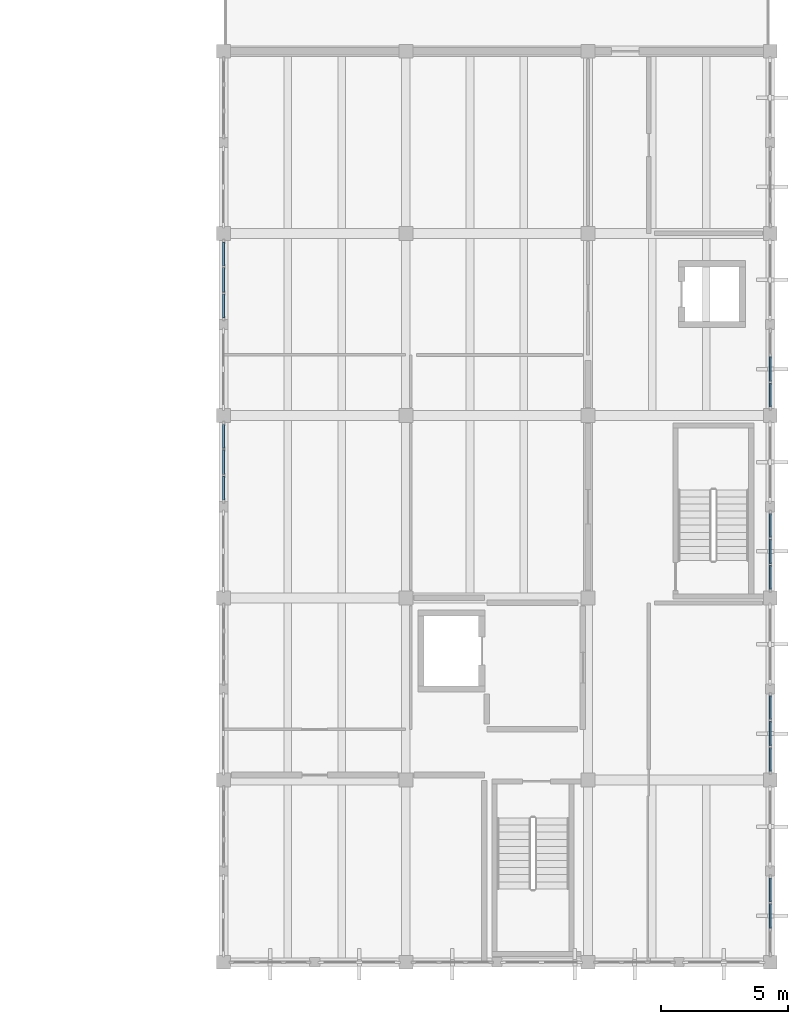
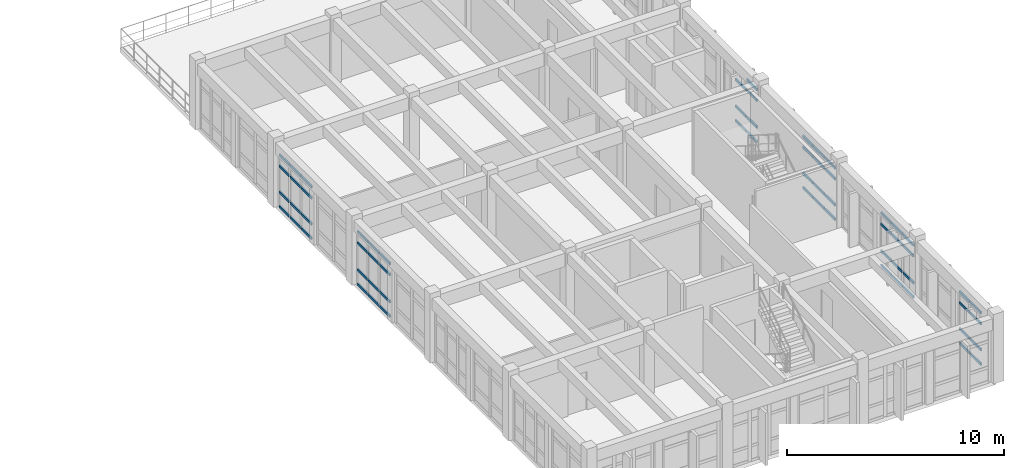
# One storey, part 10 of 22: 63 members, 6 elements without a shape of their own.
"""IFC4 building model written with IfcOpenShell, lengths in metres."""

from ifc_helpers import new_model, si_unit, direction, frame, origin, origin_2d, place, context, subcontext, project, spatial, rectangle, extrude, material, layer, layer_set, material_profile, profile_set, type_object, element, aggregate, save


model = new_model("IFC4")

# Units and contexts
model_context = context("Model", 3, precision=1e-05, world=origin(), true_north=direction((0.0, 1.0)))
body_context = subcontext(model_context, "Body", "Model", "MODEL_VIEW")
ifc_project = project(units=[si_unit("LENGTHUNIT", "METRE"), si_unit("AREAUNIT", "SQUARE_METRE"), si_unit("VOLUMEUNIT", "CUBIC_METRE"), si_unit("PLANEANGLEUNIT", "RADIAN"), si_unit("MASSUNIT", "GRAM", prefix="KILO")], contexts=[model_context])

# Site, building, storey
site_placement = place(None, origin())
site = spatial("IfcSite", under=ifc_project, at=site_placement, CompositionType="ELEMENT")
building_placement = place(site_placement, origin())
building = spatial("IfcBuilding", under=site, at=building_placement, Name="Koriwan Promenade Central Fire Station", CompositionType="ELEMENT")
storey_placement = place(building_placement, frame((0.0, 0.0, 17.39990234375)))
storey = spatial("IfcBuildingStorey", under=building, at=storey_placement, Name="L04", CompositionType="ELEMENT", Elevation=17.39990234375)

# Curtain wall, members
ifc_material_1 = material(Name="Aluminium EN AW-6063-T6 and low-E glazing", Category="aluminium")
ifc_layer_1 = layer(ifc_material_1, 0.159912109375, Name="Aluminium EN AW-6063-T6 and low-E glazing")
ifc_layer_set_1 = layer_set([ifc_layer_1], Name="Aluminium EN AW-6063-T6 and low-E glazing")
curtain_wall_type_1 = type_object("IfcCurtainWallType", Name="CurtainWall_82_312x296", PredefinedType="USERDEFINED", material=ifc_layer_set_1)
curtain_wall_1_placement = place(storey_placement, origin())
curtain_wall_1 = element("IfcCurtainWall", 1, at=curtain_wall_1_placement, inside=storey, type_object=curtain_wall_type_1, Name="V5 L04 unitised curtain wall 251", ObjectType="UNITISED CURTAIN WALL", PredefinedType="USERDEFINED")
ifc_material_2 = material(Name="Aluminium EN AW-6063-T6", Category="aluminium")
ifc_material_profile = material_profile(ifc_material_2, rectangle(XDim=0.074951171875, YDim=0.139892578125, at=origin_2d()), Name="ALU-TRN-75x140")
ifc_profile_set = profile_set([ifc_material_profile], Name="Aluminium EN AW-6063-T6")
member_type = type_object("IfcMemberType", Name="CWTransom_ALU-TRN-75x140", PredefinedType="USERDEFINED", material=ifc_profile_set)
member_1_placement = place(storey_placement, frame((172.800048828125, 1.354248046875, 0.03759765625), z_axis=(0.0, 1.0, 0.0), x_axis=(-1.0, 0.0, 0.0)))
member_1 = element("IfcMember", 2, at=member_1_placement, type_object=member_type, Name="CW-82 transom 2.1", ObjectType="TRANSOM", PredefinedType="USERDEFINED", context=body_context, shape_type="SweptSolid", body=[
    extrude(rectangle(XDim=0.074951171875, YDim=0.139892578125, at=origin_2d()), origin(), (0.0, 0.0, 1.0), 0.966552734375),
])
member_2_placement = place(storey_placement, frame((172.800048828125, 1.354248046875, 0.85009765625), z_axis=(0.0, 1.0, 0.0), x_axis=(-1.0, 0.0, 0.0)))
member_2 = element("IfcMember", 3, at=member_2_placement, type_object=member_type, Name="CW-82 transom 2.2", ObjectType="TRANSOM", PredefinedType="USERDEFINED", context=body_context, shape_type="SweptSolid", body=[
    extrude(rectangle(XDim=0.074951171875, YDim=0.139892578125, at=origin_2d()), origin(), (0.0, 0.0, 1.0), 0.966552734375),
])
member_3_placement = place(storey_placement, frame((172.800048828125, 1.354248046875, 2.31005859375), z_axis=(0.0, 1.0, 0.0), x_axis=(-1.0, 0.0, 0.0)))
member_3 = element("IfcMember", 4, at=member_3_placement, type_object=member_type, Name="CW-82 transom 2.3", ObjectType="TRANSOM", PredefinedType="USERDEFINED", context=body_context, shape_type="SweptSolid", body=[
    extrude(rectangle(XDim=0.074951171875, YDim=0.139892578125, at=origin_2d()), origin(), (0.0, 0.0, 1.0), 0.966552734375),
])
member_4_placement = place(storey_placement, frame((172.800048828125, 1.354248046875, 2.922607421875), z_axis=(0.0, 1.0, 0.0), x_axis=(-1.0, 0.0, 0.0)))
member_4 = element("IfcMember", 5, at=member_4_placement, type_object=member_type, Name="CW-82 transom 2.4", ObjectType="TRANSOM", PredefinedType="USERDEFINED", context=body_context, shape_type="SweptSolid", body=[
    extrude(rectangle(XDim=0.074951171875, YDim=0.139892578125, at=origin_2d()), origin(), (0.0, 0.0, 1.0), 0.966552734375),
])
member_5_placement = place(storey_placement, frame((172.800048828125, 2.395751953125, 0.03759765625), z_axis=(0.0, 1.0, 0.0), x_axis=(-1.0, 0.0, 0.0)))
member_5 = element("IfcMember", 6, at=member_5_placement, type_object=member_type, Name="CW-82 transom 3.1", ObjectType="TRANSOM", PredefinedType="USERDEFINED", context=body_context, shape_type="SweptSolid", body=[
    extrude(rectangle(XDim=0.074951171875, YDim=0.139892578125, at=origin_2d()), origin(), (0.0, 0.0, 1.0), 0.92919921875),
])
member_6_placement = place(storey_placement, frame((172.800048828125, 2.395751953125, 0.85009765625), z_axis=(0.0, 1.0, 0.0), x_axis=(-1.0, 0.0, 0.0)))
member_6 = element("IfcMember", 7, at=member_6_placement, type_object=member_type, Name="CW-82 transom 3.2", ObjectType="TRANSOM", PredefinedType="USERDEFINED", context=body_context, shape_type="SweptSolid", body=[
    extrude(rectangle(XDim=0.074951171875, YDim=0.139892578125, at=origin_2d()), origin(), (0.0, 0.0, 1.0), 0.92919921875),
])
member_7_placement = place(storey_placement, frame((172.800048828125, 2.395751953125, 2.31005859375), z_axis=(0.0, 1.0, 0.0), x_axis=(-1.0, 0.0, 0.0)))
member_7 = element("IfcMember", 8, at=member_7_placement, type_object=member_type, Name="CW-82 transom 3.3", ObjectType="TRANSOM", PredefinedType="USERDEFINED", context=body_context, shape_type="SweptSolid", body=[
    extrude(rectangle(XDim=0.074951171875, YDim=0.139892578125, at=origin_2d()), origin(), (0.0, 0.0, 1.0), 0.92919921875),
])
member_8_placement = place(storey_placement, frame((172.800048828125, 2.395751953125, 2.922607421875), z_axis=(0.0, 1.0, 0.0), x_axis=(-1.0, 0.0, 0.0)))
member_8 = element("IfcMember", 9, at=member_8_placement, type_object=member_type, Name="CW-82 transom 3.4", ObjectType="TRANSOM", PredefinedType="USERDEFINED", context=body_context, shape_type="SweptSolid", body=[
    extrude(rectangle(XDim=0.074951171875, YDim=0.139892578125, at=origin_2d()), origin(), (0.0, 0.0, 1.0), 0.92919921875),
])
aggregate(curtain_wall_1, [member_1, member_2, member_3, member_4, member_5, member_6, member_7, member_8])

ifc_layer_2 = layer(ifc_material_1, 0.159912109375, Name="Aluminium EN AW-6063-T6 and low-E glazing")
ifc_layer_set_2 = layer_set([ifc_layer_2], Name="Aluminium EN AW-6063-T6 and low-E glazing")
curtain_wall_type_2 = type_object("IfcCurtainWallType", Name="CurtainWall_84_312x301", PredefinedType="USERDEFINED", material=ifc_layer_set_2)
curtain_wall_2_placement = place(storey_placement, origin())
curtain_wall_2 = element("IfcCurtainWall", 10, at=curtain_wall_2_placement, inside=storey, type_object=curtain_wall_type_2, Name="V5 L04 unitised curtain wall 253", ObjectType="UNITISED CURTAIN WALL", PredefinedType="USERDEFINED")
member_9_placement = place(storey_placement, frame((172.800048828125, 7.550048828125, 0.03759765625), z_axis=(0.0, 1.0, 0.0), x_axis=(-1.0, 0.0, 0.0)))
member_9 = element("IfcMember", 11, at=member_9_placement, type_object=member_type, Name="CW-84 transom 1.1", ObjectType="TRANSOM", PredefinedType="USERDEFINED", context=body_context, shape_type="SweptSolid", body=[
    extrude(rectangle(XDim=0.074951171875, YDim=0.139892578125, at=origin_2d()), origin(), (0.0, 0.0, 1.0), 0.92919921875),
])
member_10_placement = place(storey_placement, frame((172.800048828125, 7.550048828125, 0.85009765625), z_axis=(0.0, 1.0, 0.0), x_axis=(-1.0, 0.0, 0.0)))
member_10 = element("IfcMember", 12, at=member_10_placement, type_object=member_type, Name="CW-84 transom 1.2", ObjectType="TRANSOM", PredefinedType="USERDEFINED", context=body_context, shape_type="SweptSolid", body=[
    extrude(rectangle(XDim=0.074951171875, YDim=0.139892578125, at=origin_2d()), origin(), (0.0, 0.0, 1.0), 0.92919921875),
])
member_11_placement = place(storey_placement, frame((172.800048828125, 7.550048828125, 2.360107421875), z_axis=(0.0, 1.0, 0.0), x_axis=(-1.0, 0.0, 0.0)))
member_11 = element("IfcMember", 13, at=member_11_placement, type_object=member_type, Name="CW-84 transom 1.3", ObjectType="TRANSOM", PredefinedType="USERDEFINED", context=body_context, shape_type="SweptSolid", body=[
    extrude(rectangle(XDim=0.074951171875, YDim=0.139892578125, at=origin_2d()), origin(), (0.0, 0.0, 1.0), 0.92919921875),
])
member_12_placement = place(storey_placement, frame((172.800048828125, 7.550048828125, 2.97265625), z_axis=(0.0, 1.0, 0.0), x_axis=(-1.0, 0.0, 0.0)))
member_12 = element("IfcMember", 14, at=member_12_placement, type_object=member_type, Name="CW-84 transom 1.4", ObjectType="TRANSOM", PredefinedType="USERDEFINED", context=body_context, shape_type="SweptSolid", body=[
    extrude(rectangle(XDim=0.074951171875, YDim=0.139892578125, at=origin_2d()), origin(), (0.0, 0.0, 1.0), 0.92919921875),
])
member_13_placement = place(storey_placement, frame((172.800048828125, 8.55419921875, 0.03759765625), z_axis=(0.0, 1.0, 0.0), x_axis=(-1.0, 0.0, 0.0)))
member_13 = element("IfcMember", 15, at=member_13_placement, type_object=member_type, Name="CW-84 transom 2.1", ObjectType="TRANSOM", PredefinedType="USERDEFINED", context=body_context, shape_type="SweptSolid", body=[
    extrude(rectangle(XDim=0.074951171875, YDim=0.139892578125, at=origin_2d()), origin(), (0.0, 0.0, 1.0), 0.966552734375),
])
member_14_placement = place(storey_placement, frame((172.800048828125, 8.55419921875, 0.85009765625), z_axis=(0.0, 1.0, 0.0), x_axis=(-1.0, 0.0, 0.0)))
member_14 = element("IfcMember", 16, at=member_14_placement, type_object=member_type, Name="CW-84 transom 2.2", ObjectType="TRANSOM", PredefinedType="USERDEFINED", context=body_context, shape_type="SweptSolid", body=[
    extrude(rectangle(XDim=0.074951171875, YDim=0.139892578125, at=origin_2d()), origin(), (0.0, 0.0, 1.0), 0.966552734375),
])
member_15_placement = place(storey_placement, frame((172.800048828125, 8.55419921875, 2.360107421875), z_axis=(0.0, 1.0, 0.0), x_axis=(-1.0, 0.0, 0.0)))
member_15 = element("IfcMember", 17, at=member_15_placement, type_object=member_type, Name="CW-84 transom 2.3", ObjectType="TRANSOM", PredefinedType="USERDEFINED", context=body_context, shape_type="SweptSolid", body=[
    extrude(rectangle(XDim=0.074951171875, YDim=0.139892578125, at=origin_2d()), origin(), (0.0, 0.0, 1.0), 0.966552734375),
])
member_16_placement = place(storey_placement, frame((172.800048828125, 8.55419921875, 2.97265625), z_axis=(0.0, 1.0, 0.0), x_axis=(-1.0, 0.0, 0.0)))
member_16 = element("IfcMember", 18, at=member_16_placement, type_object=member_type, Name="CW-84 transom 2.4", ObjectType="TRANSOM", PredefinedType="USERDEFINED", context=body_context, shape_type="SweptSolid", body=[
    extrude(rectangle(XDim=0.074951171875, YDim=0.139892578125, at=origin_2d()), origin(), (0.0, 0.0, 1.0), 0.966552734375),
])
member_17_placement = place(storey_placement, frame((172.800048828125, 9.595947265625, 0.03759765625), z_axis=(0.0, 1.0, 0.0), x_axis=(-1.0, 0.0, 0.0)))
member_17 = element("IfcMember", 19, at=member_17_placement, type_object=member_type, Name="CW-84 transom 3.1", ObjectType="TRANSOM", PredefinedType="USERDEFINED", context=body_context, shape_type="SweptSolid", body=[
    extrude(rectangle(XDim=0.074951171875, YDim=0.139892578125, at=origin_2d()), origin(), (0.0, 0.0, 1.0), 0.928955078125),
])
member_18_placement = place(storey_placement, frame((172.800048828125, 9.595947265625, 0.85009765625), z_axis=(0.0, 1.0, 0.0), x_axis=(-1.0, 0.0, 0.0)))
member_18 = element("IfcMember", 20, at=member_18_placement, type_object=member_type, Name="CW-84 transom 3.2", ObjectType="TRANSOM", PredefinedType="USERDEFINED", context=body_context, shape_type="SweptSolid", body=[
    extrude(rectangle(XDim=0.074951171875, YDim=0.139892578125, at=origin_2d()), origin(), (0.0, 0.0, 1.0), 0.928955078125),
])
member_19_placement = place(storey_placement, frame((172.800048828125, 9.595947265625, 2.360107421875), z_axis=(0.0, 1.0, 0.0), x_axis=(-1.0, 0.0, 0.0)))
member_19 = element("IfcMember", 21, at=member_19_placement, type_object=member_type, Name="CW-84 transom 3.3", ObjectType="TRANSOM", PredefinedType="USERDEFINED", context=body_context, shape_type="SweptSolid", body=[
    extrude(rectangle(XDim=0.074951171875, YDim=0.139892578125, at=origin_2d()), origin(), (0.0, 0.0, 1.0), 0.928955078125),
])
member_20_placement = place(storey_placement, frame((172.800048828125, 9.595947265625, 2.97265625), z_axis=(0.0, 1.0, 0.0), x_axis=(-1.0, 0.0, 0.0)))
member_20 = element("IfcMember", 22, at=member_20_placement, type_object=member_type, Name="CW-84 transom 3.4", ObjectType="TRANSOM", PredefinedType="USERDEFINED", context=body_context, shape_type="SweptSolid", body=[
    extrude(rectangle(XDim=0.074951171875, YDim=0.139892578125, at=origin_2d()), origin(), (0.0, 0.0, 1.0), 0.928955078125),
])
aggregate(curtain_wall_2, [member_9, member_10, member_11, member_12, member_13, member_14, member_15, member_16, member_17, member_18, member_19, member_20])

curtain_wall_3_placement = place(storey_placement, origin())
curtain_wall_3 = element("IfcCurtainWall", 23, at=curtain_wall_3_placement, inside=storey, type_object=curtain_wall_type_1, Name="V5 L04 unitised curtain wall 255", ObjectType="UNITISED CURTAIN WALL", PredefinedType="USERDEFINED")
member_21_placement = place(storey_placement, frame((172.800048828125, 14.75, 0.03759765625), z_axis=(0.0, 1.0, 0.0), x_axis=(-1.0, 0.0, 0.0)))
member_21 = element("IfcMember", 24, at=member_21_placement, type_object=member_type, Name="CW-82 transom 1.1", ObjectType="TRANSOM", PredefinedType="USERDEFINED", context=body_context, shape_type="SweptSolid", body=[
    extrude(rectangle(XDim=0.074951171875, YDim=0.139892578125, at=origin_2d()), origin(), (0.0, 0.0, 1.0), 0.92919921875),
])
member_22_placement = place(storey_placement, frame((172.800048828125, 14.75, 0.85009765625), z_axis=(0.0, 1.0, 0.0), x_axis=(-1.0, 0.0, 0.0)))
member_22 = element("IfcMember", 25, at=member_22_placement, type_object=member_type, Name="CW-82 transom 1.2", ObjectType="TRANSOM", PredefinedType="USERDEFINED", context=body_context, shape_type="SweptSolid", body=[
    extrude(rectangle(XDim=0.074951171875, YDim=0.139892578125, at=origin_2d()), origin(), (0.0, 0.0, 1.0), 0.92919921875),
])
member_23_placement = place(storey_placement, frame((172.800048828125, 14.75, 2.31005859375), z_axis=(0.0, 1.0, 0.0), x_axis=(-1.0, 0.0, 0.0)))
member_23 = element("IfcMember", 26, at=member_23_placement, type_object=member_type, Name="CW-82 transom 1.3", ObjectType="TRANSOM", PredefinedType="USERDEFINED", context=body_context, shape_type="SweptSolid", body=[
    extrude(rectangle(XDim=0.074951171875, YDim=0.139892578125, at=origin_2d()), origin(), (0.0, 0.0, 1.0), 0.92919921875),
])
member_24_placement = place(storey_placement, frame((172.800048828125, 14.75, 2.922607421875), z_axis=(0.0, 1.0, 0.0), x_axis=(-1.0, 0.0, 0.0)))
member_24 = element("IfcMember", 27, at=member_24_placement, type_object=member_type, Name="CW-82 transom 1.4", ObjectType="TRANSOM", PredefinedType="USERDEFINED", context=body_context, shape_type="SweptSolid", body=[
    extrude(rectangle(XDim=0.074951171875, YDim=0.139892578125, at=origin_2d()), origin(), (0.0, 0.0, 1.0), 0.92919921875),
])
member_25_placement = place(storey_placement, frame((172.800048828125, 15.754150390625, 0.03759765625), z_axis=(0.0, 1.0, 0.0), x_axis=(-1.0, 0.0, 0.0)))
member_25 = element("IfcMember", 28, at=member_25_placement, type_object=member_type, Name="CW-82 transom 2.1", ObjectType="TRANSOM", PredefinedType="USERDEFINED", context=body_context, shape_type="SweptSolid", body=[
    extrude(rectangle(XDim=0.074951171875, YDim=0.139892578125, at=origin_2d()), origin(), (0.0, 0.0, 1.0), 0.966796875),
])
member_26_placement = place(storey_placement, frame((172.800048828125, 15.754150390625, 0.85009765625), z_axis=(0.0, 1.0, 0.0), x_axis=(-1.0, 0.0, 0.0)))
member_26 = element("IfcMember", 29, at=member_26_placement, type_object=member_type, Name="CW-82 transom 2.2", ObjectType="TRANSOM", PredefinedType="USERDEFINED", context=body_context, shape_type="SweptSolid", body=[
    extrude(rectangle(XDim=0.074951171875, YDim=0.139892578125, at=origin_2d()), origin(), (0.0, 0.0, 1.0), 0.966796875),
])
member_27_placement = place(storey_placement, frame((172.800048828125, 15.754150390625, 2.31005859375), z_axis=(0.0, 1.0, 0.0), x_axis=(-1.0, 0.0, 0.0)))
member_27 = element("IfcMember", 30, at=member_27_placement, type_object=member_type, Name="CW-82 transom 2.3", ObjectType="TRANSOM", PredefinedType="USERDEFINED", context=body_context, shape_type="SweptSolid", body=[
    extrude(rectangle(XDim=0.074951171875, YDim=0.139892578125, at=origin_2d()), origin(), (0.0, 0.0, 1.0), 0.966796875),
])
member_28_placement = place(storey_placement, frame((172.800048828125, 15.754150390625, 2.922607421875), z_axis=(0.0, 1.0, 0.0), x_axis=(-1.0, 0.0, 0.0)))
member_28 = element("IfcMember", 31, at=member_28_placement, type_object=member_type, Name="CW-82 transom 2.4", ObjectType="TRANSOM", PredefinedType="USERDEFINED", context=body_context, shape_type="SweptSolid", body=[
    extrude(rectangle(XDim=0.074951171875, YDim=0.139892578125, at=origin_2d()), origin(), (0.0, 0.0, 1.0), 0.966796875),
])
member_29_placement = place(storey_placement, frame((172.800048828125, 16.7958984375, 0.03759765625), z_axis=(0.0, 1.0, 0.0), x_axis=(-1.0, 0.0, 0.0)))
member_29 = element("IfcMember", 32, at=member_29_placement, type_object=member_type, Name="CW-82 transom 3.1", ObjectType="TRANSOM", PredefinedType="USERDEFINED", context=body_context, shape_type="SweptSolid", body=[
    extrude(rectangle(XDim=0.074951171875, YDim=0.139892578125, at=origin_2d()), origin(), (0.0, 0.0, 1.0), 0.92919921875),
])
member_30_placement = place(storey_placement, frame((172.800048828125, 16.7958984375, 0.85009765625), z_axis=(0.0, 1.0, 0.0), x_axis=(-1.0, 0.0, 0.0)))
member_30 = element("IfcMember", 33, at=member_30_placement, type_object=member_type, Name="CW-82 transom 3.2", ObjectType="TRANSOM", PredefinedType="USERDEFINED", context=body_context, shape_type="SweptSolid", body=[
    extrude(rectangle(XDim=0.074951171875, YDim=0.139892578125, at=origin_2d()), origin(), (0.0, 0.0, 1.0), 0.92919921875),
])
member_31_placement = place(storey_placement, frame((172.800048828125, 16.7958984375, 2.31005859375), z_axis=(0.0, 1.0, 0.0), x_axis=(-1.0, 0.0, 0.0)))
member_31 = element("IfcMember", 34, at=member_31_placement, type_object=member_type, Name="CW-82 transom 3.3", ObjectType="TRANSOM", PredefinedType="USERDEFINED", context=body_context, shape_type="SweptSolid", body=[
    extrude(rectangle(XDim=0.074951171875, YDim=0.139892578125, at=origin_2d()), origin(), (0.0, 0.0, 1.0), 0.92919921875),
])
member_32_placement = place(storey_placement, frame((172.800048828125, 16.7958984375, 2.922607421875), z_axis=(0.0, 1.0, 0.0), x_axis=(-1.0, 0.0, 0.0)))
member_32 = element("IfcMember", 35, at=member_32_placement, type_object=member_type, Name="CW-82 transom 3.4", ObjectType="TRANSOM", PredefinedType="USERDEFINED", context=body_context, shape_type="SweptSolid", body=[
    extrude(rectangle(XDim=0.074951171875, YDim=0.139892578125, at=origin_2d()), origin(), (0.0, 0.0, 1.0), 0.92919921875),
])
aggregate(curtain_wall_3, [member_21, member_22, member_23, member_24, member_25, member_26, member_27, member_28, member_29, member_30, member_31, member_32])

curtain_wall_4_placement = place(storey_placement, origin())
curtain_wall_4 = element("IfcCurtainWall", 36, at=curtain_wall_4_placement, inside=storey, type_object=curtain_wall_type_2, Name="V5 L04 unitised curtain wall 257", ObjectType="UNITISED CURTAIN WALL", PredefinedType="USERDEFINED")
member_33_placement = place(storey_placement, frame((172.800048828125, 21.949951171875, 0.03759765625), z_axis=(0.0, 1.0, 0.0), x_axis=(-1.0, 0.0, 0.0)))
member_33 = element("IfcMember", 37, at=member_33_placement, type_object=member_type, Name="CW-84 transom 1.1", ObjectType="TRANSOM", PredefinedType="USERDEFINED", context=body_context, shape_type="SweptSolid", body=[
    extrude(rectangle(XDim=0.074951171875, YDim=0.139892578125, at=origin_2d()), origin(), (0.0, 0.0, 1.0), 0.92919921875),
])
member_34_placement = place(storey_placement, frame((172.800048828125, 21.949951171875, 0.85009765625), z_axis=(0.0, 1.0, 0.0), x_axis=(-1.0, 0.0, 0.0)))
member_34 = element("IfcMember", 38, at=member_34_placement, type_object=member_type, Name="CW-84 transom 1.2", ObjectType="TRANSOM", PredefinedType="USERDEFINED", context=body_context, shape_type="SweptSolid", body=[
    extrude(rectangle(XDim=0.074951171875, YDim=0.139892578125, at=origin_2d()), origin(), (0.0, 0.0, 1.0), 0.92919921875),
])
member_35_placement = place(storey_placement, frame((172.800048828125, 21.949951171875, 2.360107421875), z_axis=(0.0, 1.0, 0.0), x_axis=(-1.0, 0.0, 0.0)))
member_35 = element("IfcMember", 39, at=member_35_placement, type_object=member_type, Name="CW-84 transom 1.3", ObjectType="TRANSOM", PredefinedType="USERDEFINED", context=body_context, shape_type="SweptSolid", body=[
    extrude(rectangle(XDim=0.074951171875, YDim=0.139892578125, at=origin_2d()), origin(), (0.0, 0.0, 1.0), 0.92919921875),
])
member_36_placement = place(storey_placement, frame((172.800048828125, 21.949951171875, 2.97265625), z_axis=(0.0, 1.0, 0.0), x_axis=(-1.0, 0.0, 0.0)))
member_36 = element("IfcMember", 40, at=member_36_placement, type_object=member_type, Name="CW-84 transom 1.4", ObjectType="TRANSOM", PredefinedType="USERDEFINED", context=body_context, shape_type="SweptSolid", body=[
    extrude(rectangle(XDim=0.074951171875, YDim=0.139892578125, at=origin_2d()), origin(), (0.0, 0.0, 1.0), 0.92919921875),
])
member_37_placement = place(storey_placement, frame((172.800048828125, 22.9541015625, 0.03759765625), z_axis=(0.0, 1.0, 0.0), x_axis=(-1.0, 0.0, 0.0)))
member_37 = element("IfcMember", 41, at=member_37_placement, type_object=member_type, Name="CW-84 transom 2.1", ObjectType="TRANSOM", PredefinedType="USERDEFINED", context=body_context, shape_type="SweptSolid", body=[
    extrude(rectangle(XDim=0.074951171875, YDim=0.139892578125, at=origin_2d()), origin(), (0.0, 0.0, 1.0), 0.966796875),
])
member_38_placement = place(storey_placement, frame((172.800048828125, 22.9541015625, 0.85009765625), z_axis=(0.0, 1.0, 0.0), x_axis=(-1.0, 0.0, 0.0)))
member_38 = element("IfcMember", 42, at=member_38_placement, type_object=member_type, Name="CW-84 transom 2.2", ObjectType="TRANSOM", PredefinedType="USERDEFINED", context=body_context, shape_type="SweptSolid", body=[
    extrude(rectangle(XDim=0.074951171875, YDim=0.139892578125, at=origin_2d()), origin(), (0.0, 0.0, 1.0), 0.966796875),
])
member_39_placement = place(storey_placement, frame((172.800048828125, 22.9541015625, 2.360107421875), z_axis=(0.0, 1.0, 0.0), x_axis=(-1.0, 0.0, 0.0)))
member_39 = element("IfcMember", 43, at=member_39_placement, type_object=member_type, Name="CW-84 transom 2.3", ObjectType="TRANSOM", PredefinedType="USERDEFINED", context=body_context, shape_type="SweptSolid", body=[
    extrude(rectangle(XDim=0.074951171875, YDim=0.139892578125, at=origin_2d()), origin(), (0.0, 0.0, 1.0), 0.966796875),
])
aggregate(curtain_wall_4, [member_33, member_34, member_35, member_36, member_37, member_38, member_39])

curtain_wall_5_placement = place(storey_placement, origin())
curtain_wall_5 = element("IfcCurtainWall", 44, at=curtain_wall_5_placement, inside=storey, type_object=curtain_wall_type_1, Name="V5 L04 unitised curtain wall 263", ObjectType="UNITISED CURTAIN WALL", PredefinedType="USERDEFINED")
member_40_placement = place(storey_placement, frame((151.199951171875, 28.449951171875, 0.03759765625), z_axis=(0.0, -1.0, 0.0), x_axis=(1.0, 0.0, 0.0)))
member_40 = element("IfcMember", 45, at=member_40_placement, type_object=member_type, Name="CW-82 transom 1.1", ObjectType="TRANSOM", PredefinedType="USERDEFINED", context=body_context, shape_type="SweptSolid", body=[
    extrude(rectangle(XDim=0.074951171875, YDim=0.139892578125, at=origin_2d()), origin(), (0.0, 0.0, 1.0), 0.92919921875),
])
member_41_placement = place(storey_placement, frame((151.199951171875, 28.449951171875, 0.85009765625), z_axis=(0.0, -1.0, 0.0), x_axis=(1.0, 0.0, 0.0)))
member_41 = element("IfcMember", 46, at=member_41_placement, type_object=member_type, Name="CW-82 transom 1.2", ObjectType="TRANSOM", PredefinedType="USERDEFINED", context=body_context, shape_type="SweptSolid", body=[
    extrude(rectangle(XDim=0.074951171875, YDim=0.139892578125, at=origin_2d()), origin(), (0.0, 0.0, 1.0), 0.92919921875),
])
member_42_placement = place(storey_placement, frame((151.199951171875, 28.449951171875, 2.31005859375), z_axis=(0.0, -1.0, 0.0), x_axis=(1.0, 0.0, 0.0)))
member_42 = element("IfcMember", 47, at=member_42_placement, type_object=member_type, Name="CW-82 transom 1.3", ObjectType="TRANSOM", PredefinedType="USERDEFINED", context=body_context, shape_type="SweptSolid", body=[
    extrude(rectangle(XDim=0.074951171875, YDim=0.139892578125, at=origin_2d()), origin(), (0.0, 0.0, 1.0), 0.92919921875),
])
member_43_placement = place(storey_placement, frame((151.199951171875, 28.449951171875, 2.922607421875), z_axis=(0.0, -1.0, 0.0), x_axis=(1.0, 0.0, 0.0)))
member_43 = element("IfcMember", 48, at=member_43_placement, type_object=member_type, Name="CW-82 transom 1.4", ObjectType="TRANSOM", PredefinedType="USERDEFINED", context=body_context, shape_type="SweptSolid", body=[
    extrude(rectangle(XDim=0.074951171875, YDim=0.139892578125, at=origin_2d()), origin(), (0.0, 0.0, 1.0), 0.92919921875),
])
member_44_placement = place(storey_placement, frame((151.199951171875, 27.44580078125, 0.03759765625), z_axis=(0.0, -1.0, 0.0), x_axis=(1.0, 0.0, 0.0)))
member_44 = element("IfcMember", 49, at=member_44_placement, type_object=member_type, Name="CW-82 transom 2.1", ObjectType="TRANSOM", PredefinedType="USERDEFINED", context=body_context, shape_type="SweptSolid", body=[
    extrude(rectangle(XDim=0.074951171875, YDim=0.139892578125, at=origin_2d()), origin(), (0.0, 0.0, 1.0), 0.966552734375),
])
member_45_placement = place(storey_placement, frame((151.199951171875, 27.44580078125, 0.85009765625), z_axis=(0.0, -1.0, 0.0), x_axis=(1.0, 0.0, 0.0)))
member_45 = element("IfcMember", 50, at=member_45_placement, type_object=member_type, Name="CW-82 transom 2.2", ObjectType="TRANSOM", PredefinedType="USERDEFINED", context=body_context, shape_type="SweptSolid", body=[
    extrude(rectangle(XDim=0.074951171875, YDim=0.139892578125, at=origin_2d()), origin(), (0.0, 0.0, 1.0), 0.966552734375),
])
member_46_placement = place(storey_placement, frame((151.199951171875, 27.44580078125, 2.31005859375), z_axis=(0.0, -1.0, 0.0), x_axis=(1.0, 0.0, 0.0)))
member_46 = element("IfcMember", 51, at=member_46_placement, type_object=member_type, Name="CW-82 transom 2.3", ObjectType="TRANSOM", PredefinedType="USERDEFINED", context=body_context, shape_type="SweptSolid", body=[
    extrude(rectangle(XDim=0.074951171875, YDim=0.139892578125, at=origin_2d()), origin(), (0.0, 0.0, 1.0), 0.966552734375),
])
member_47_placement = place(storey_placement, frame((151.199951171875, 27.44580078125, 2.922607421875), z_axis=(0.0, -1.0, 0.0), x_axis=(1.0, 0.0, 0.0)))
member_47 = element("IfcMember", 52, at=member_47_placement, type_object=member_type, Name="CW-82 transom 2.4", ObjectType="TRANSOM", PredefinedType="USERDEFINED", context=body_context, shape_type="SweptSolid", body=[
    extrude(rectangle(XDim=0.074951171875, YDim=0.139892578125, at=origin_2d()), origin(), (0.0, 0.0, 1.0), 0.966552734375),
])
member_48_placement = place(storey_placement, frame((151.199951171875, 26.404052734375, 0.03759765625), z_axis=(0.0, -1.0, 0.0), x_axis=(1.0, 0.0, 0.0)))
member_48 = element("IfcMember", 53, at=member_48_placement, type_object=member_type, Name="CW-82 transom 3.1", ObjectType="TRANSOM", PredefinedType="USERDEFINED", context=body_context, shape_type="SweptSolid", body=[
    extrude(rectangle(XDim=0.074951171875, YDim=0.139892578125, at=origin_2d()), origin(), (0.0, 0.0, 1.0), 0.928955078125),
])
member_49_placement = place(storey_placement, frame((151.199951171875, 26.404052734375, 0.85009765625), z_axis=(0.0, -1.0, 0.0), x_axis=(1.0, 0.0, 0.0)))
member_49 = element("IfcMember", 54, at=member_49_placement, type_object=member_type, Name="CW-82 transom 3.2", ObjectType="TRANSOM", PredefinedType="USERDEFINED", context=body_context, shape_type="SweptSolid", body=[
    extrude(rectangle(XDim=0.074951171875, YDim=0.139892578125, at=origin_2d()), origin(), (0.0, 0.0, 1.0), 0.928955078125),
])
member_50_placement = place(storey_placement, frame((151.199951171875, 26.404052734375, 2.31005859375), z_axis=(0.0, -1.0, 0.0), x_axis=(1.0, 0.0, 0.0)))
member_50 = element("IfcMember", 55, at=member_50_placement, type_object=member_type, Name="CW-82 transom 3.3", ObjectType="TRANSOM", PredefinedType="USERDEFINED", context=body_context, shape_type="SweptSolid", body=[
    extrude(rectangle(XDim=0.074951171875, YDim=0.139892578125, at=origin_2d()), origin(), (0.0, 0.0, 1.0), 0.928955078125),
])
member_51_placement = place(storey_placement, frame((151.199951171875, 26.404052734375, 2.922607421875), z_axis=(0.0, -1.0, 0.0), x_axis=(1.0, 0.0, 0.0)))
member_51 = element("IfcMember", 56, at=member_51_placement, type_object=member_type, Name="CW-82 transom 3.4", ObjectType="TRANSOM", PredefinedType="USERDEFINED", context=body_context, shape_type="SweptSolid", body=[
    extrude(rectangle(XDim=0.074951171875, YDim=0.139892578125, at=origin_2d()), origin(), (0.0, 0.0, 1.0), 0.928955078125),
])
aggregate(curtain_wall_5, [member_40, member_41, member_42, member_43, member_44, member_45, member_46, member_47, member_48, member_49, member_50, member_51])

curtain_wall_6_placement = place(storey_placement, origin())
curtain_wall_6 = element("IfcCurtainWall", 57, at=curtain_wall_6_placement, inside=storey, type_object=curtain_wall_type_2, Name="V5 L04 unitised curtain wall 265", ObjectType="UNITISED CURTAIN WALL", PredefinedType="USERDEFINED")
member_52_placement = place(storey_placement, frame((151.199951171875, 21.25, 0.03759765625), z_axis=(0.0, -1.0, 0.0), x_axis=(1.0, 0.0, 0.0)))
member_52 = element("IfcMember", 58, at=member_52_placement, type_object=member_type, Name="CW-84 transom 1.1", ObjectType="TRANSOM", PredefinedType="USERDEFINED", context=body_context, shape_type="SweptSolid", body=[
    extrude(rectangle(XDim=0.074951171875, YDim=0.139892578125, at=origin_2d()), origin(), (0.0, 0.0, 1.0), 0.92919921875),
])
member_53_placement = place(storey_placement, frame((151.199951171875, 21.25, 0.85009765625), z_axis=(0.0, -1.0, 0.0), x_axis=(1.0, 0.0, 0.0)))
member_53 = element("IfcMember", 59, at=member_53_placement, type_object=member_type, Name="CW-84 transom 1.2", ObjectType="TRANSOM", PredefinedType="USERDEFINED", context=body_context, shape_type="SweptSolid", body=[
    extrude(rectangle(XDim=0.074951171875, YDim=0.139892578125, at=origin_2d()), origin(), (0.0, 0.0, 1.0), 0.92919921875),
])
member_54_placement = place(storey_placement, frame((151.199951171875, 21.25, 2.360107421875), z_axis=(0.0, -1.0, 0.0), x_axis=(1.0, 0.0, 0.0)))
member_54 = element("IfcMember", 60, at=member_54_placement, type_object=member_type, Name="CW-84 transom 1.3", ObjectType="TRANSOM", PredefinedType="USERDEFINED", context=body_context, shape_type="SweptSolid", body=[
    extrude(rectangle(XDim=0.074951171875, YDim=0.139892578125, at=origin_2d()), origin(), (0.0, 0.0, 1.0), 0.92919921875),
])
member_55_placement = place(storey_placement, frame((151.199951171875, 21.25, 2.97265625), z_axis=(0.0, -1.0, 0.0), x_axis=(1.0, 0.0, 0.0)))
member_55 = element("IfcMember", 61, at=member_55_placement, type_object=member_type, Name="CW-84 transom 1.4", ObjectType="TRANSOM", PredefinedType="USERDEFINED", context=body_context, shape_type="SweptSolid", body=[
    extrude(rectangle(XDim=0.074951171875, YDim=0.139892578125, at=origin_2d()), origin(), (0.0, 0.0, 1.0), 0.92919921875),
])
member_56_placement = place(storey_placement, frame((151.199951171875, 20.245849609375, 0.03759765625), z_axis=(0.0, -1.0, 0.0), x_axis=(1.0, 0.0, 0.0)))
member_56 = element("IfcMember", 62, at=member_56_placement, type_object=member_type, Name="CW-84 transom 2.1", ObjectType="TRANSOM", PredefinedType="USERDEFINED", context=body_context, shape_type="SweptSolid", body=[
    extrude(rectangle(XDim=0.074951171875, YDim=0.139892578125, at=origin_2d()), origin(), (0.0, 0.0, 1.0), 0.966796875),
])
member_57_placement = place(storey_placement, frame((151.199951171875, 20.245849609375, 0.85009765625), z_axis=(0.0, -1.0, 0.0), x_axis=(1.0, 0.0, 0.0)))
member_57 = element("IfcMember", 63, at=member_57_placement, type_object=member_type, Name="CW-84 transom 2.2", ObjectType="TRANSOM", PredefinedType="USERDEFINED", context=body_context, shape_type="SweptSolid", body=[
    extrude(rectangle(XDim=0.074951171875, YDim=0.139892578125, at=origin_2d()), origin(), (0.0, 0.0, 1.0), 0.966796875),
])
member_58_placement = place(storey_placement, frame((151.199951171875, 20.245849609375, 2.360107421875), z_axis=(0.0, -1.0, 0.0), x_axis=(1.0, 0.0, 0.0)))
member_58 = element("IfcMember", 64, at=member_58_placement, type_object=member_type, Name="CW-84 transom 2.3", ObjectType="TRANSOM", PredefinedType="USERDEFINED", context=body_context, shape_type="SweptSolid", body=[
    extrude(rectangle(XDim=0.074951171875, YDim=0.139892578125, at=origin_2d()), origin(), (0.0, 0.0, 1.0), 0.966796875),
])
member_59_placement = place(storey_placement, frame((151.199951171875, 20.245849609375, 2.97265625), z_axis=(0.0, -1.0, 0.0), x_axis=(1.0, 0.0, 0.0)))
member_59 = element("IfcMember", 65, at=member_59_placement, type_object=member_type, Name="CW-84 transom 2.4", ObjectType="TRANSOM", PredefinedType="USERDEFINED", context=body_context, shape_type="SweptSolid", body=[
    extrude(rectangle(XDim=0.074951171875, YDim=0.139892578125, at=origin_2d()), origin(), (0.0, 0.0, 1.0), 0.966796875),
])
member_60_placement = place(storey_placement, frame((151.199951171875, 19.2041015625, 0.03759765625), z_axis=(0.0, -1.0, 0.0), x_axis=(1.0, 0.0, 0.0)))
member_60 = element("IfcMember", 66, at=member_60_placement, type_object=member_type, Name="CW-84 transom 3.1", ObjectType="TRANSOM", PredefinedType="USERDEFINED", context=body_context, shape_type="SweptSolid", body=[
    extrude(rectangle(XDim=0.074951171875, YDim=0.139892578125, at=origin_2d()), origin(), (0.0, 0.0, 1.0), 0.92919921875),
])
member_61_placement = place(storey_placement, frame((151.199951171875, 19.2041015625, 0.85009765625), z_axis=(0.0, -1.0, 0.0), x_axis=(1.0, 0.0, 0.0)))
member_61 = element("IfcMember", 67, at=member_61_placement, type_object=member_type, Name="CW-84 transom 3.2", ObjectType="TRANSOM", PredefinedType="USERDEFINED", context=body_context, shape_type="SweptSolid", body=[
    extrude(rectangle(XDim=0.074951171875, YDim=0.139892578125, at=origin_2d()), origin(), (0.0, 0.0, 1.0), 0.92919921875),
])
member_62_placement = place(storey_placement, frame((151.199951171875, 19.2041015625, 2.360107421875), z_axis=(0.0, -1.0, 0.0), x_axis=(1.0, 0.0, 0.0)))
member_62 = element("IfcMember", 68, at=member_62_placement, type_object=member_type, Name="CW-84 transom 3.3", ObjectType="TRANSOM", PredefinedType="USERDEFINED", context=body_context, shape_type="SweptSolid", body=[
    extrude(rectangle(XDim=0.074951171875, YDim=0.139892578125, at=origin_2d()), origin(), (0.0, 0.0, 1.0), 0.92919921875),
])
member_63_placement = place(storey_placement, frame((151.199951171875, 19.2041015625, 2.97265625), z_axis=(0.0, -1.0, 0.0), x_axis=(1.0, 0.0, 0.0)))
member_63 = element("IfcMember", 69, at=member_63_placement, type_object=member_type, Name="CW-84 transom 3.4", ObjectType="TRANSOM", PredefinedType="USERDEFINED", context=body_context, shape_type="SweptSolid", body=[
    extrude(rectangle(XDim=0.074951171875, YDim=0.139892578125, at=origin_2d()), origin(), (0.0, 0.0, 1.0), 0.92919921875),
])
aggregate(curtain_wall_6, [member_52, member_53, member_54, member_55, member_56, member_57, member_58, member_59, member_60, member_61, member_62, member_63])

save(model, "model.ifc")
